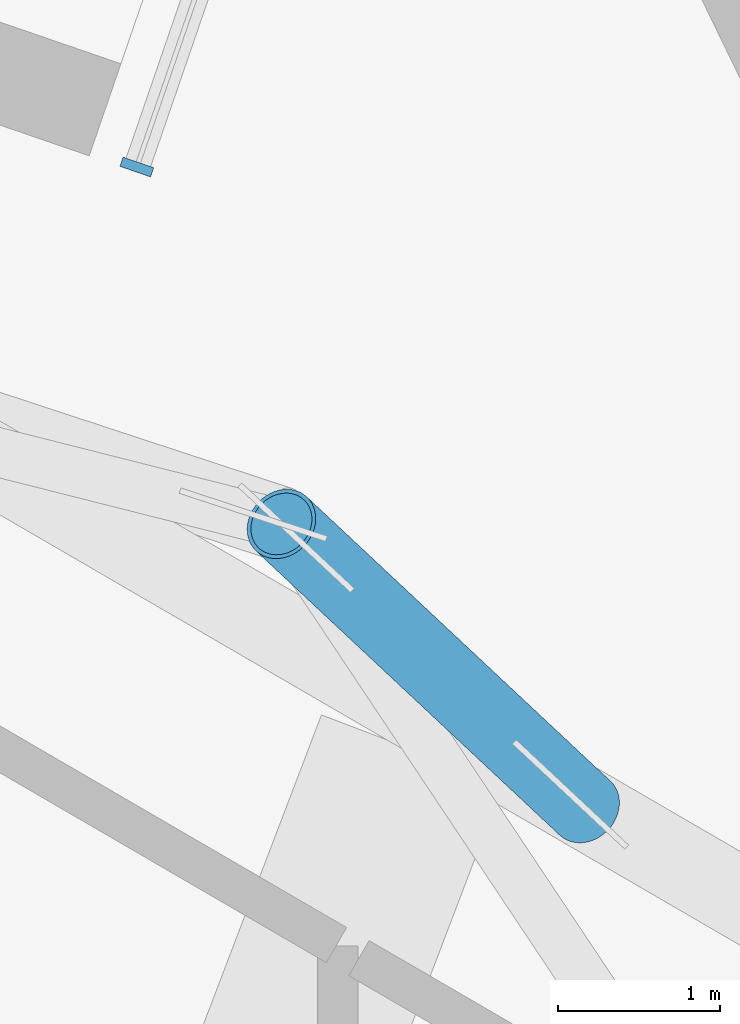
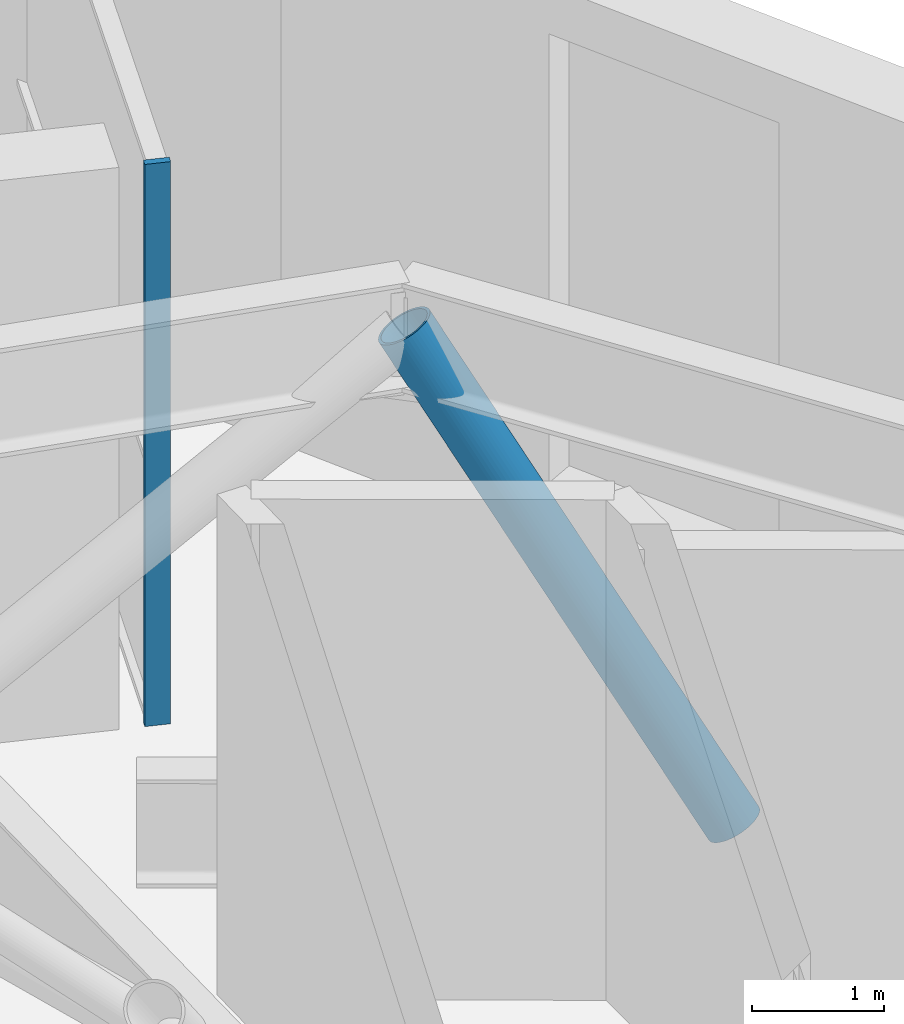
# One storey, part 6 of 21: 2 members, 1 element without a shape of its own.
"""IFC4 building model written with IfcOpenShell, lengths in metres."""

from ifc_helpers import new_model, si_unit, direction, frame, origin, origin_2d, place, context, subcontext, project, spatial, rectangle, hollow_circle, extrude, material, material_profile, profile_set, type_object, element, aggregate, save


model = new_model("IFC4")

# Units and contexts
model_context = context("Model", 3, precision=1e-05, world=origin(), true_north=direction((0.0, 1.0)))
body_context = subcontext(model_context, "Body", "Model", "MODEL_VIEW")
ifc_project = project(units=[si_unit("LENGTHUNIT", "METRE"), si_unit("AREAUNIT", "SQUARE_METRE"), si_unit("VOLUMEUNIT", "CUBIC_METRE"), si_unit("PLANEANGLEUNIT", "RADIAN"), si_unit("MASSUNIT", "GRAM", prefix="KILO")], contexts=[model_context])

# Site, building, storey
site_placement = place(None, origin())
site = spatial("IfcSite", under=ifc_project, at=site_placement, CompositionType="ELEMENT")
building_placement = place(site_placement, origin())
building = spatial("IfcBuilding", under=site, at=building_placement, Name="Dilmun Exchange Tower", CompositionType="ELEMENT")
storey_placement = place(building_placement, frame((0.0, 0.0, 130.10009765625)))
storey = spatial("IfcBuildingStorey", under=building, at=storey_placement, Name="L30", CompositionType="ELEMENT", Elevation=130.10009765625)

# Curtain wall, member
ifc_material_1 = material(Name="Anodised aluminium and clear glass", Category="aluminium")
curtain_wall_type = type_object("IfcCurtainWallType", Name="Garden corner glazing", PredefinedType="NOTDEFINED", material=ifc_material_1)
curtain_wall_placement = place(storey_placement, origin())
curtain_wall = element("IfcCurtainWall", 1, at=curtain_wall_placement, inside=storey, type_object=curtain_wall_type, Name="Garden corner glazing run GC1.1", PredefinedType="NOTDEFINED")
ifc_material_2 = material(Name="Anodised aluminium", Category="aluminium")
ifc_material_profile_1 = material_profile(ifc_material_2, rectangle(XDim=0.199951171875, YDim=0.06005859375, at=origin_2d()), Name="AL 60x200")
ifc_profile_set_1 = profile_set([ifc_material_profile_1], Name="Anodised aluminium")
member_type_1 = type_object("IfcMemberType", Name="Garden corner glazing mullion 60 x 200", PredefinedType="MULLION", material=ifc_profile_set_1)
member_1_placement = place(storey_placement, frame((15.3603515625, 27.398681640625, 0.0), z_axis=(0.0, 0.0, 1.0), x_axis=(0.945520217486, -0.325563386031, 0.0)))
member_1 = element("IfcMember", 2, at=member_1_placement, type_object=member_type_1, Name="GC1.1 mullion 2", PredefinedType="MULLION", context=body_context, shape_type="SweptSolid", body=[
    extrude(rectangle(XDim=0.199951171875, YDim=0.06005859375, at=origin_2d()), origin(), (0.0, 0.0, 1.0), 5.199951171875),
])
aggregate(curtain_wall, [member_1])

# Member
ifc_material_3 = material(Name="Steel S355", Category="steel")
ifc_material_profile_2 = material_profile(ifc_material_3, hollow_circle(Radius=0.228515625, WallThickness=0.02490234375, at=origin_2d()), Name="CHS 457x25")
ifc_profile_set_2 = profile_set([ifc_material_profile_2], Name="Steel S355")
member_type_2 = type_object("IfcMemberType", Name="truss diagonal CHS 457x25", PredefinedType="BRACE", material=ifc_profile_set_2)
member_2_placement = place(storey_placement, frame((16.251953125, 25.197998046875, 4.69580078125), z_axis=(0.380826885004, -0.356401539231, -0.853199171643), x_axis=(0.683304481693, 0.73013353936, 0.0)))
element("IfcMember", 3, at=member_2_placement, inside=storey, type_object=member_type_2, Name="Truss diagonal 62", PredefinedType="BRACE", context=body_context, shape_type="SweptSolid", body=[
    extrude(hollow_circle(Radius=0.228515625, WallThickness=0.02490234375, at=origin_2d()), origin(), (0.0, 0.0, 1.0), 4.917724609375),
])

save(model, "model.ifc")
